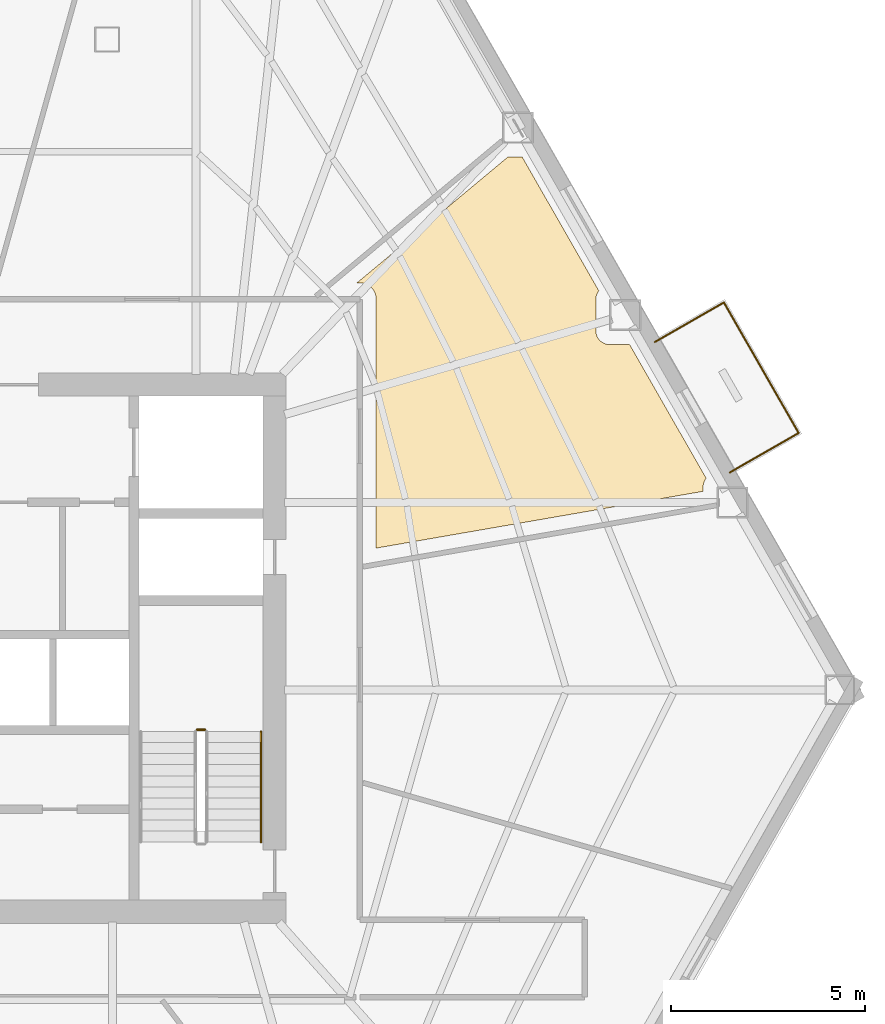
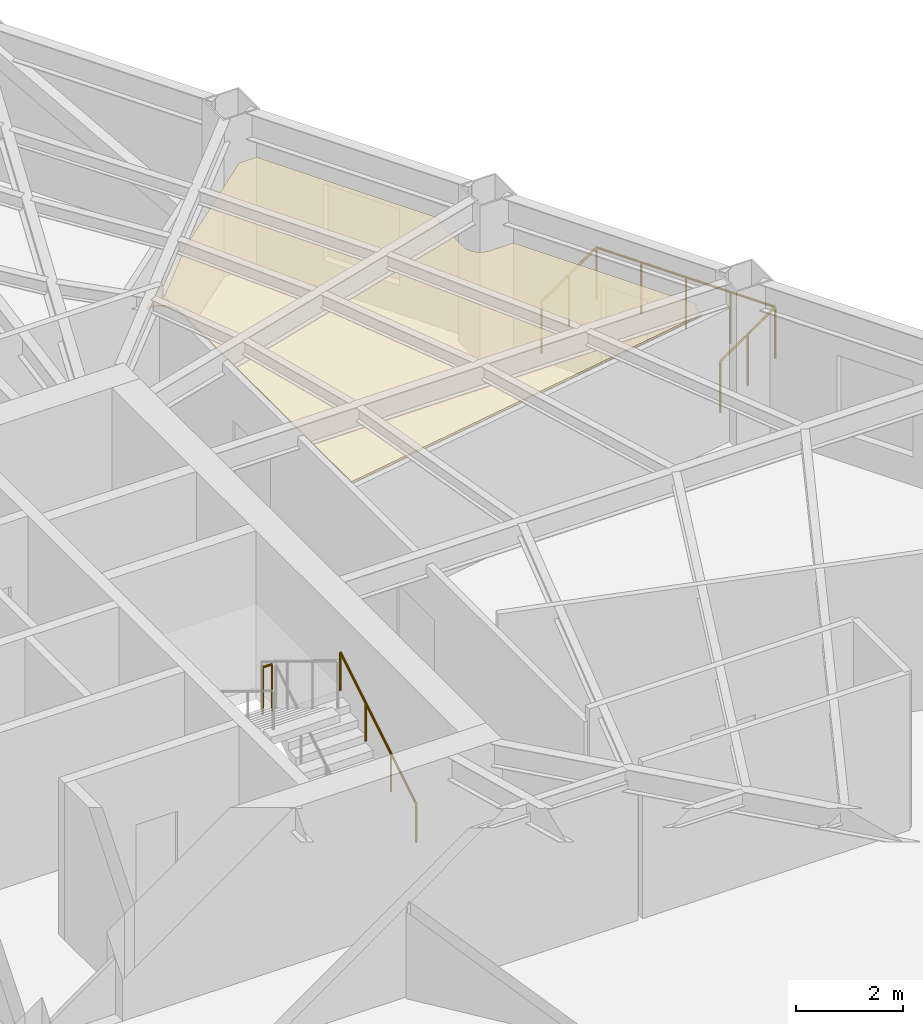
# One storey, part 13 of 14: 5 railings, 1 covering.
"""IFC4 building model written with IfcOpenShell, lengths in metres."""

from ifc_helpers import new_model, si_unit, direction, frame, origin, origin_2d, place, context, subcontext, project, spatial, polyline, circle, outline, extrude, material, layer, layer_set, type_object, element, save


model = new_model("IFC4")

# Units and contexts
model_context = context("Model", 3, precision=1e-05, world=origin(), true_north=direction((0.0, 1.0)))
body_context = subcontext(model_context, "Body", "Model", "MODEL_VIEW")
ifc_project = project(units=[si_unit("LENGTHUNIT", "METRE"), si_unit("AREAUNIT", "SQUARE_METRE"), si_unit("VOLUMEUNIT", "CUBIC_METRE"), si_unit("PLANEANGLEUNIT", "RADIAN"), si_unit("MASSUNIT", "GRAM", prefix="KILO")], contexts=[model_context])

# Site, building, storey
site_placement = place(None, origin())
site = spatial("IfcSite", under=ifc_project, at=site_placement, CompositionType="ELEMENT")
building_placement = place(site_placement, origin())
building = spatial("IfcBuilding", under=site, at=building_placement, Name="Kavelnor Concourse Tower", CompositionType="ELEMENT")
storey_placement = place(building_placement, frame((0.0, 0.0, 32.949951171875)))
storey = spatial("IfcBuildingStorey", under=building, at=storey_placement, Name="L08", CompositionType="ELEMENT", Elevation=32.949951171875)

# Covering
ifc_material_1 = material(Name="Mineral fibre acoustic ceiling tile")
ifc_layer = layer(ifc_material_1, 0.0400390625, Name="Mineral fibre acoustic ceiling tile")
ifc_layer_set = layer_set([ifc_layer], Name="Mineral fibre acoustic ceiling tile")
covering_type = type_object("IfcCoveringType", Name="COV-CEILING-ACOUSTIC", PredefinedType="CEILING", material=ifc_layer_set)
covering_placement = place(storey_placement, frame((0.0, 0.0, 2.75)))
element("IfcCovering", 1, at=covering_placement, inside=storey, type_object=covering_type, Name="L08 Suspended Acoustic Ceiling", PredefinedType="CEILING", context=body_context, shape_type="SweptSolid", body=[
    extrude(outline(polyline([(50.44091796875, 25.1416015625), (50.434814453125, 25.1826171875), (50.4248046875, 25.222900390625), (50.41064453125, 25.26171875), (50.39306640625, 25.29931640625), (50.37158203125, 25.3349609375), (50.346923828125, 25.368408203125), (50.319091796875, 25.39892578125), (50.288330078125, 25.427001953125), (50.2548828125, 25.45166015625), (50.219482421875, 25.472900390625), (50.181884765625, 25.49072265625), (50.142822265625, 25.504638671875), (50.1025390625, 25.514892578125), (50.0615234375, 25.52099609375), (50.0283203125, 25.5224609375), (49.9443359375, 25.5224609375), (53.833251953125, 28.766357421875), (54.209228515625, 28.766357421875), (56.184326171875, 25.3173828125), (56.16552734375, 25.2919921875), (56.1474609375, 25.26171875), (56.13232421875, 25.229736328125), (56.120361328125, 25.1962890625), (56.11181640625, 25.162109375), (56.106689453125, 25.127197265625), (56.105224609375, 25.10009765625), (56.105224609375, 24.283447265625), (56.106689453125, 24.256591796875), (56.11181640625, 24.221435546875), (56.120361328125, 24.187255859375), (56.13232421875, 24.15380859375), (56.1474609375, 24.121826171875), (56.16552734375, 24.091552734375), (56.186767578125, 24.063232421875), (56.21044921875, 24.037109375), (56.23681640625, 24.01318359375), (56.26513671875, 23.9921875), (56.29541015625, 23.973876953125), (56.327392578125, 23.958740234375), (56.360595703125, 23.947021484375), (56.39501953125, 23.938232421875), (56.429931640625, 23.93310546875), (56.45703125, 23.931884765625), (56.977783203125, 23.931884765625), (58.952880859375, 20.48291015625), (58.93408203125, 20.45751953125), (58.916015625, 20.42724609375), (58.90087890625, 20.395263671875), (58.888916015625, 20.36181640625), (58.88037109375, 20.32763671875), (58.875244140625, 20.29248046875), (58.873779296875, 20.265625), (58.873779296875, 20.146484375), (50.4423828125, 18.68212890625), (50.4423828125, 25.1083984375), (50.44091796875, 25.1416015625)])), origin(), (0.0, 0.0, 1.0), 0.0400390625),
])

# Railings
ifc_material_2 = material(Name="Steel Grade 350", Category="steel")
railing_type_1 = type_object("IfcRailingType", Name="RLG-GUARD-1100", PredefinedType="GUARDRAIL", material=ifc_material_2)
railing_1_placement = place(storey_placement, frame((46.02001953125, 14.0, 1.925048828125)))
element("IfcRailing", 2, at=railing_1_placement, inside=storey, type_object=railing_type_1, Name="L08 ST2 stair guard 2", PredefinedType="GUARDRAIL", context=body_context, shape_type="SweptSolid", body=[
    extrude(circle(Radius=0.02392578125, at=origin_2d()), frame((0.0, 0.0, 1.076171875), z_axis=(-1.0, 0.0, 0.0), x_axis=(0.0, -1.0, 0.0)), (0.0, 0.0, 1.0), 0.199951171875),
    extrude(circle(Radius=0.02099609375, at=origin_2d()), origin(), (0.0, 0.0, 1.0), 1.052001953125),
    extrude(circle(Radius=0.02099609375, at=origin_2d()), frame((-0.199951171875, 0.0, 0.0)), (0.0, 0.0, 1.0), 1.052001953125),
])
railing_type_2 = type_object("IfcRailingType", Name="RLG-HANDRAIL-900", PredefinedType="HANDRAIL", material=ifc_material_2)
railing_2_placement = place(storey_placement, frame((47.469970703125, 11.10009765625, 0.175048828125)))
element("IfcRailing", 3, at=railing_2_placement, inside=storey, type_object=railing_type_2, Name="L08 ST2 stair handrail 1", PredefinedType="HANDRAIL", context=body_context, shape_type="SweptSolid", body=[
    extrude(circle(Radius=0.02392578125, at=origin_2d()), frame((0.0, 0.0, 0.8759765625), z_axis=(0.0, 0.852159232446, 0.523282564737), x_axis=(-1.0, 0.0, 0.0)), (0.0, 0.0, 1.0), 3.34423828125),
    extrude(circle(Radius=0.02099609375, at=origin_2d()), origin(), (0.0, 0.0, 1.0), 0.851806640625),
    extrude(circle(Radius=0.02099609375, at=origin_2d()), frame((0.0, 0.949951171875, 0.583251953125)), (0.0, 0.0, 1.0), 0.851806640625),
    extrude(circle(Radius=0.02099609375, at=origin_2d()), frame((0.0, 1.89990234375, 1.166748046875)), (0.0, 0.0, 1.0), 0.851806640625),
    extrude(circle(Radius=0.02099609375, at=origin_2d()), frame((0.0, 2.849853515625, 1.75)), (0.0, 0.0, 1.0), 0.851806640625),
])
ifc_material_3 = material(Name="Architectural bronze-anodised aluminium", Category="aluminium")
railing_type_3 = type_object("IfcRailingType", Name="RLG-TERRACE-1200", PredefinedType="BALUSTRADE", material=ifc_material_3)
railing_3_placement = place(storey_placement, frame((59.55908203125, 20.6318359375, 0.0)))
element("IfcRailing", 4, at=railing_3_placement, inside=storey, type_object=railing_type_3, Name="L08 Tree Balcony 1 Guardrail L", PredefinedType="BALUSTRADE", context=body_context, shape_type="SweptSolid", body=[
    extrude(circle(Radius=0.02392578125, at=origin_2d()), frame((0.0, 0.0, 1.17578125), z_axis=(0.867751664586, 0.496998036826, 0.0), x_axis=(-0.496998036826, 0.867751664586, 0.0)), (0.0, 0.0, 1.0), 2.0498046875),
    extrude(circle(Radius=0.02099609375, at=origin_2d()), origin(), (0.0, 0.0, 1.0), 1.15185546875),
    extrude(circle(Radius=0.02099609375, at=origin_2d()), frame((0.889404296875, 0.50927734375, 0.0)), (0.0, 0.0, 1.0), 1.15185546875),
    extrude(circle(Radius=0.02099609375, at=origin_2d()), frame((1.77880859375, 1.018798828125, 0.0)), (0.0, 0.0, 1.0), 1.15185546875),
])
railing_4_placement = place(storey_placement, frame((61.337890625, 21.650634765625, 0.0)))
element("IfcRailing", 5, at=railing_4_placement, inside=storey, type_object=railing_type_3, Name="L08 Tree Balcony 1 Guardrail F", PredefinedType="BALUSTRADE", context=body_context, shape_type="SweptSolid", body=[
    extrude(circle(Radius=0.02392578125, at=origin_2d()), frame((0.0, 0.0, 1.17578125), z_axis=(-0.496918039356, 0.867797477619, 0.0), x_axis=(-0.867797477619, -0.496918039356, 0.0)), (0.0, 0.0, 1.0), 3.8798828125),
    extrude(circle(Radius=0.02099609375, at=origin_2d()), origin(), (0.0, 0.0, 1.0), 1.15185546875),
    extrude(circle(Radius=0.02099609375, at=origin_2d()), frame((-0.48193359375, 0.841796875, 0.0)), (0.0, 0.0, 1.0), 1.15185546875),
    extrude(circle(Radius=0.02099609375, at=origin_2d()), frame((-0.9638671875, 1.68359375, 0.0)), (0.0, 0.0, 1.0), 1.15185546875),
    extrude(circle(Radius=0.02099609375, at=origin_2d()), frame((-1.446044921875, 2.525146484375, 0.0)), (0.0, 0.0, 1.0), 1.15185546875),
    extrude(circle(Radius=0.02099609375, at=origin_2d()), frame((-1.927978515625, 3.366943359375, 0.0)), (0.0, 0.0, 1.0), 1.15185546875),
])
railing_5_placement = place(storey_placement, frame((59.409912109375, 25.017578125, 0.0)))
element("IfcRailing", 6, at=railing_5_placement, inside=storey, type_object=railing_type_3, Name="L08 Tree Balcony 1 Guardrail R", PredefinedType="BALUSTRADE", context=body_context, shape_type="SweptSolid", body=[
    extrude(circle(Radius=0.02392578125, at=origin_2d()), frame((0.0, 0.0, 1.17578125), z_axis=(-0.867781078194, -0.49694667755, 0.0), x_axis=(0.49694667755, -0.867781078194, 0.0)), (0.0, 0.0, 1.0), 2.050048828125),
    extrude(circle(Radius=0.02099609375, at=origin_2d()), origin(), (0.0, 0.0, 1.0), 1.15185546875),
    extrude(circle(Radius=0.02099609375, at=origin_2d()), frame((-0.8896484375, -0.50927734375, 0.0)), (0.0, 0.0, 1.0), 1.15185546875),
    extrude(circle(Radius=0.02099609375, at=origin_2d()), frame((-1.779052734375, -1.018798828125, 0.0)), (0.0, 0.0, 1.0), 1.15185546875),
])

save(model, "model.ifc")
